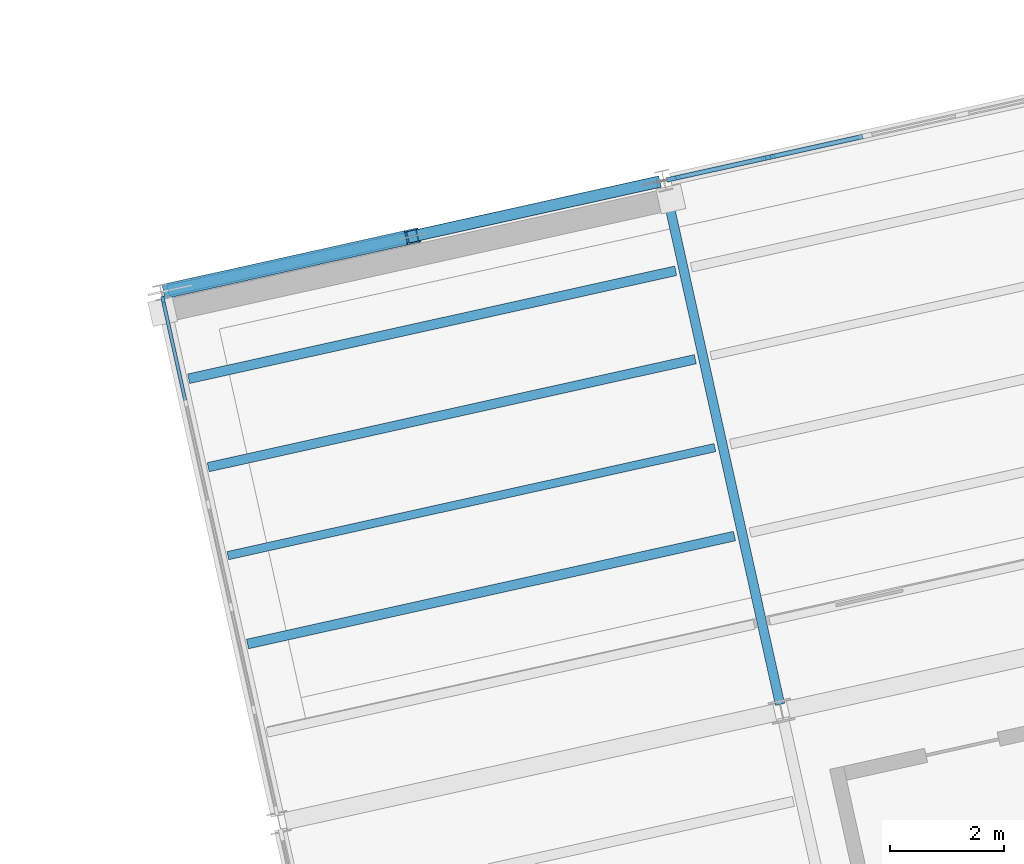
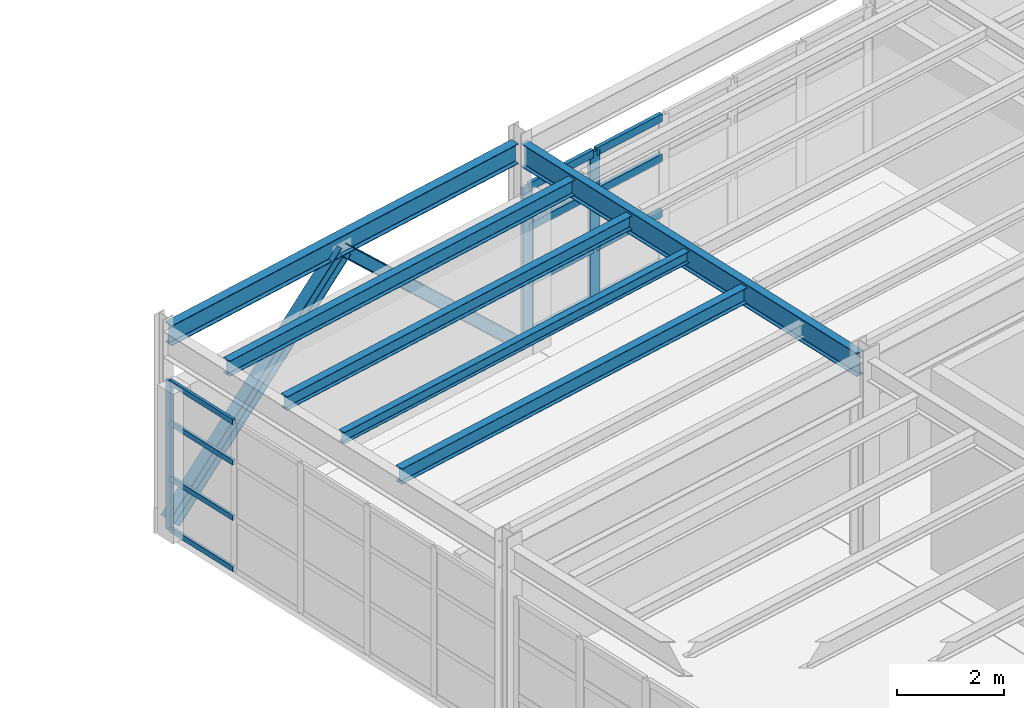
# One storey, part 53 of 109: 17 members, 6 beams, 2 elements without a shape of their own.
"""IFC4 building model written with IfcOpenShell, lengths in metres."""

from ifc_helpers import new_model, si_unit, direction, frame, origin, origin_2d, place, context, subcontext, project, spatial, rectangle, i_section, extrude, material, layer, layer_set, material_profile, profile_set, type_object, element, aggregate, save


model = new_model("IFC4")

# Units and contexts
model_context = context("Model", 3, precision=1e-05, world=origin(), true_north=direction((0.0, 1.0)))
body_context = subcontext(model_context, "Body", "Model", "MODEL_VIEW")
ifc_project = project(units=[si_unit("LENGTHUNIT", "METRE"), si_unit("AREAUNIT", "SQUARE_METRE"), si_unit("VOLUMEUNIT", "CUBIC_METRE"), si_unit("PLANEANGLEUNIT", "RADIAN"), si_unit("MASSUNIT", "GRAM", prefix="KILO")], contexts=[model_context])

# Site, building, storey
site_placement = place(None, origin())
site = spatial("IfcSite", under=ifc_project, at=site_placement, CompositionType="ELEMENT")
building_placement = place(site_placement, origin())
building = spatial("IfcBuilding", under=site, at=building_placement, Name="Vireo Bluff Cable Station", CompositionType="ELEMENT")
storey_placement = place(building_placement, frame((0.0, 0.0, 4.800048828125)))
storey = spatial("IfcBuildingStorey", under=building, at=storey_placement, Name="L01", CompositionType="ELEMENT", Elevation=4.800048828125)

# Beam
ifc_material_1 = material(Name="Steel ASTM A992 Gr. 50", Category="steel")
ifc_material_profile_1 = material_profile(ifc_material_1, i_section(OverallWidth=0.166015625, OverallDepth=0.528076171875, WebThickness=0.009765625, FlangeThickness=0.013671875, FilletRadius=0.012939453125, at=origin_2d()), Name="W21X50")
ifc_profile_set_1 = profile_set([ifc_material_profile_1], Name="Steel ASTM A992 Gr. 50")
beam_type_1 = type_object("IfcBeamType", Name="BM-W21X50", PredefinedType="BEAM", material=ifc_profile_set_1)
beam_1_placement = place(storey_placement, frame((130.6484375, 94.61474609375, 4.27587890625), z_axis=(-0.216455863908, 0.976292404447, 0.0), x_axis=(-0.976292404447, -0.216455863908, 0.0)))
element("IfcBeam", 1, at=beam_1_placement, inside=storey, type_object=beam_type_1, Name="V2 L01 beam 461", PredefinedType="BEAM", context=body_context, shape_type="SweptSolid", body=[
    extrude(i_section(OverallWidth=0.166015625, OverallDepth=0.528076171875, WebThickness=0.009765625, FlangeThickness=0.013671875, FilletRadius=0.012939453125, at=origin_2d()), origin(), (0.0, 0.0, 1.0), 9.260009765625),
])

# Members
ifc_material_profile_2 = material_profile(ifc_material_1, i_section(OverallWidth=0.2041015625, OverallDepth=0.257080078125, WebThickness=0.0087890625, FlangeThickness=0.015625, FilletRadius=0.009033203125, at=origin_2d()), Name="W10X45")
ifc_profile_set_2 = profile_set([ifc_material_profile_2], Name="Steel ASTM A992 Gr. 50")
member_type_1 = type_object("IfcMemberType", Name="BRC-01", PredefinedType="BRACE", material=ifc_profile_set_2)
member_1_placement = place(storey_placement, frame((128.4619140625, 103.73779296875, 0.0400390625), z_axis=(-0.706432249814, -0.156632169247, 0.69023172919), x_axis=(0.216465840429, -0.976290192477, 0.0)))
element("IfcMember", 2, at=member_1_placement, inside=storey, type_object=member_type_1, Name="V2 L01 concentric brace 30R", PredefinedType="BRACE", context=body_context, shape_type="SweptSolid", body=[
    extrude(i_section(OverallWidth=0.2041015625, OverallDepth=0.257080078125, WebThickness=0.0087890625, FlangeThickness=0.015625, FilletRadius=0.009033203125, at=origin_2d()), origin(), (0.0, 0.0, 1.0), 5.997802734375),
])
ifc_material_profile_3 = material_profile(ifc_material_1, i_section(OverallWidth=0.25390625, OverallDepth=0.35302734375, WebThickness=0.009521484375, FlangeThickness=0.016357421875, FilletRadius=0.011962890625, at=origin_2d()), Name="W14X61")
ifc_profile_set_3 = profile_set([ifc_material_profile_3], Name="Steel ASTM A992 Gr. 50")
member_type_2 = type_object("IfcMemberType", Name="BRC-06", PredefinedType="BRACE", material=ifc_profile_set_3)
member_2_placement = place(storey_placement, frame((119.98779296875, 101.859130859375, 0.0400390625), z_axis=(0.706436753261, 0.156592462679, 0.69023612936), x_axis=(-0.216412221259, 0.976302079528, 0.0)))
element("IfcMember", 3, at=member_2_placement, inside=storey, type_object=member_type_2, Name="V2 L01 concentric brace 29L", PredefinedType="BRACE", context=body_context, shape_type="SweptSolid", body=[
    extrude(i_section(OverallWidth=0.25390625, OverallDepth=0.35302734375, WebThickness=0.009521484375, FlangeThickness=0.016357421875, FilletRadius=0.011962890625, at=origin_2d()), origin(), (0.0, 0.0, 1.0), 5.997802734375),
])

# Curtain wall, member
ifc_material_2 = material(Name="Anodized Aluminium 6063-T6", Category="aluminium")
ifc_layer_1 = layer(ifc_material_2, 0.159912109375, Name="Anodized Aluminium 6063-T6")
ifc_layer_set_1 = layer_set([ifc_layer_1], Name="Anodized Aluminium 6063-T6")
curtain_wall_type_1 = type_object("IfcCurtainWallType", Name="CW-STICK-1750", PredefinedType="USERDEFINED", material=ifc_layer_set_1)
curtain_wall_1_placement = place(storey_placement, origin())
curtain_wall_1 = element("IfcCurtainWall", 4, at=curtain_wall_1_placement, inside=storey, type_object=curtain_wall_type_1, Name="V2 L01 west curtain wall CW-046", ObjectType="STICK CURTAIN WALL", PredefinedType="USERDEFINED")
ifc_material_profile_4 = material_profile(ifc_material_2, rectangle(XDim=0.06005859375, YDim=0.159912109375, at=origin_2d()), Name="ALU-M-60X160")
ifc_profile_set_4 = profile_set([ifc_material_profile_4], Name="Anodized Aluminium 6063-T6")
member_type_3 = type_object("IfcMemberType", Name="CWM-03", PredefinedType="MULLION", material=ifc_profile_set_4)
member_3_placement = place(storey_placement, frame((119.8662109375, 101.668212890625, 0.0), z_axis=(0.0, 0.0, 1.0), x_axis=(-0.976296012556, -0.216439589418, 0.0)))
member_3 = element("IfcMember", 5, at=member_3_placement, type_object=member_type_3, Name="CW-046 mullion 6", PredefinedType="MULLION", context=body_context, shape_type="SweptSolid", body=[
    extrude(rectangle(XDim=0.06005859375, YDim=0.159912109375, at=origin_2d()), origin(), (0.0, 0.0, 1.0), 3.39990234375),
])

# Curtain wall, members
ifc_layer_2 = layer(ifc_material_2, 0.179931640625, Name="Anodized Aluminium 6063-T6")
ifc_layer_set_2 = layer_set([ifc_layer_2], Name="Anodized Aluminium 6063-T6")
curtain_wall_type_2 = type_object("IfcCurtainWallType", Name="CW-UNIT-1650", PredefinedType="USERDEFINED", material=ifc_layer_set_2)
curtain_wall_2_placement = place(storey_placement, origin())
curtain_wall_2 = element("IfcCurtainWall", 6, at=curtain_wall_2_placement, inside=storey, type_object=curtain_wall_type_2, Name="V2 L01 north curtain wall CW-047", ObjectType="UNITISED CURTAIN WALL", PredefinedType="USERDEFINED")
ifc_material_profile_5 = material_profile(ifc_material_2, rectangle(XDim=0.080078125, YDim=0.239990234375, at=origin_2d()), Name="ALU-M-80X240")
ifc_profile_set_5 = profile_set([ifc_material_profile_5], Name="Anodized Aluminium 6063-T6")
member_type_4 = type_object("IfcMemberType", Name="CWM-04", PredefinedType="MULLION", material=ifc_profile_set_5)
member_4_placement = place(storey_placement, frame((128.78466796875, 103.809326171875, 0.0), z_axis=(0.0, 0.0, 1.0), x_axis=(-0.21643962164, 0.976296005412, 0.0)))
member_4 = element("IfcMember", 7, at=member_4_placement, type_object=member_type_4, Name="CW-047 mullion 1", PredefinedType="MULLION", context=body_context, shape_type="SweptSolid", body=[
    extrude(rectangle(XDim=0.080078125, YDim=0.239990234375, at=origin_2d()), origin(), (0.0, 0.0, 1.0), 3.39990234375),
])
member_5_placement = place(storey_placement, frame((130.44091796875, 104.176513671875, 0.0), z_axis=(0.0, 0.0, 1.0), x_axis=(-0.21643962164, 0.976296005412, 0.0)))
member_5 = element("IfcMember", 8, at=member_5_placement, type_object=member_type_4, Name="CW-047 mullion 2", PredefinedType="MULLION", context=body_context, shape_type="SweptSolid", body=[
    extrude(rectangle(XDim=0.080078125, YDim=0.239990234375, at=origin_2d()), origin(), (0.0, 0.0, 1.0), 3.39990234375),
])

# Member
ifc_material_profile_6 = material_profile(ifc_material_2, rectangle(XDim=0.06005859375, YDim=0.1201171875, at=origin_2d()), Name="ALU-T-60X120")
ifc_profile_set_6 = profile_set([ifc_material_profile_6], Name="Anodized Aluminium 6063-T6")
member_type_5 = type_object("IfcMemberType", Name="CWT-03", PredefinedType="USERDEFINED", material=ifc_profile_set_6)
member_6_placement = place(storey_placement, frame((120.250732421875, 99.932861328125, 0.030029296875), z_axis=(-0.216412673976, 0.976301979176, 0.0), x_axis=(-0.976301979176, -0.216412673976, 0.0)))
member_6 = element("IfcMember", 9, at=member_6_placement, type_object=member_type_5, Name="CW-046 transom 5.1", ObjectType="TRANSOM", PredefinedType="USERDEFINED", context=body_context, shape_type="SweptSolid", body=[
    extrude(rectangle(XDim=0.06005859375, YDim=0.1201171875, at=origin_2d()), origin(), (0.0, 0.0, 1.0), 1.74755859375),
])

member_7_placement = place(storey_placement, frame((120.250732421875, 99.932861328125, 1.18994140625), z_axis=(-0.216412673976, 0.976301979176, 0.0), x_axis=(-0.976301979176, -0.216412673976, 0.0)))
member_7 = element("IfcMember", 10, at=member_7_placement, type_object=member_type_5, Name="CW-046 transom 5.2", ObjectType="TRANSOM", PredefinedType="USERDEFINED", context=body_context, shape_type="SweptSolid", body=[
    extrude(rectangle(XDim=0.06005859375, YDim=0.1201171875, at=origin_2d()), origin(), (0.0, 0.0, 1.0), 1.74755859375),
])

member_8_placement = place(storey_placement, frame((120.250732421875, 99.932861328125, 2.447998046875), z_axis=(-0.216412673976, 0.976301979176, 0.0), x_axis=(-0.976301979176, -0.216412673976, 0.0)))
member_8 = element("IfcMember", 11, at=member_8_placement, type_object=member_type_5, Name="CW-046 transom 5.3", ObjectType="TRANSOM", PredefinedType="USERDEFINED", context=body_context, shape_type="SweptSolid", body=[
    extrude(rectangle(XDim=0.06005859375, YDim=0.1201171875, at=origin_2d()), origin(), (0.0, 0.0, 1.0), 1.74755859375),
])

member_9_placement = place(storey_placement, frame((120.250732421875, 99.932861328125, 3.369873046875), z_axis=(-0.216412673976, 0.976301979176, 0.0), x_axis=(-0.976301979176, -0.216412673976, 0.0)))
member_9 = element("IfcMember", 12, at=member_9_placement, type_object=member_type_5, Name="CW-046 transom 5.4", ObjectType="TRANSOM", PredefinedType="USERDEFINED", context=body_context, shape_type="SweptSolid", body=[
    extrude(rectangle(XDim=0.06005859375, YDim=0.1201171875, at=origin_2d()), origin(), (0.0, 0.0, 1.0), 1.74755859375),
])

aggregate(curtain_wall_1, [member_3, member_6, member_7, member_8, member_9])

ifc_material_profile_7 = material_profile(ifc_material_2, rectangle(XDim=0.080078125, YDim=0.175048828125, at=origin_2d()), Name="ALU-T-80X175")
ifc_profile_set_7 = profile_set([ifc_material_profile_7], Name="Anodized Aluminium 6063-T6")
member_type_6 = type_object("IfcMemberType", Name="CWT-04", PredefinedType="USERDEFINED", material=ifc_profile_set_7)
member_10_placement = place(storey_placement, frame((128.82373046875, 103.81787109375, 0.0400390625), z_axis=(0.976297101781, 0.216434676184, 0.0), x_axis=(-0.216434676184, 0.976297101781, 0.0)))
member_10 = element("IfcMember", 13, at=member_10_placement, type_object=member_type_6, Name="CW-047 transom 1.1", ObjectType="TRANSOM", PredefinedType="USERDEFINED", context=body_context, shape_type="SweptSolid", body=[
    extrude(rectangle(XDim=0.080078125, YDim=0.175048828125, at=origin_2d()), origin(), (0.0, 0.0, 1.0), 1.616455078125),
])

member_11_placement = place(storey_placement, frame((128.82373046875, 103.81787109375, 1.18994140625), z_axis=(0.976297101781, 0.216434676184, 0.0), x_axis=(-0.216434676184, 0.976297101781, 0.0)))
member_11 = element("IfcMember", 14, at=member_11_placement, type_object=member_type_6, Name="CW-047 transom 1.2", ObjectType="TRANSOM", PredefinedType="USERDEFINED", context=body_context, shape_type="SweptSolid", body=[
    extrude(rectangle(XDim=0.080078125, YDim=0.175048828125, at=origin_2d()), origin(), (0.0, 0.0, 1.0), 1.616455078125),
])

member_12_placement = place(storey_placement, frame((128.82373046875, 103.81787109375, 2.447998046875), z_axis=(0.976297101781, 0.216434676184, 0.0), x_axis=(-0.216434676184, 0.976297101781, 0.0)))
member_12 = element("IfcMember", 15, at=member_12_placement, type_object=member_type_6, Name="CW-047 transom 1.3", ObjectType="TRANSOM", PredefinedType="USERDEFINED", context=body_context, shape_type="SweptSolid", body=[
    extrude(rectangle(XDim=0.080078125, YDim=0.175048828125, at=origin_2d()), origin(), (0.0, 0.0, 1.0), 1.616455078125),
])

member_13_placement = place(storey_placement, frame((128.82373046875, 103.81787109375, 3.35986328125), z_axis=(0.976297101781, 0.216434676184, 0.0), x_axis=(-0.216434676184, 0.976297101781, 0.0)))
member_13 = element("IfcMember", 16, at=member_13_placement, type_object=member_type_6, Name="CW-047 transom 1.4", ObjectType="TRANSOM", PredefinedType="USERDEFINED", context=body_context, shape_type="SweptSolid", body=[
    extrude(rectangle(XDim=0.080078125, YDim=0.175048828125, at=origin_2d()), origin(), (0.0, 0.0, 1.0), 1.616455078125),
])

member_14_placement = place(storey_placement, frame((130.47998046875, 104.18505859375, 0.0400390625), z_axis=(0.976280602301, 0.216509088886, 0.0), x_axis=(-0.216509088886, 0.976280602301, 0.0)))
member_14 = element("IfcMember", 17, at=member_14_placement, type_object=member_type_6, Name="CW-047 transom 2.1", ObjectType="TRANSOM", PredefinedType="USERDEFINED", context=body_context, shape_type="SweptSolid", body=[
    extrude(rectangle(XDim=0.080078125, YDim=0.175048828125, at=origin_2d()), origin(), (0.0, 0.0, 1.0), 1.656494140625),
])

member_15_placement = place(storey_placement, frame((130.47998046875, 104.18505859375, 1.18994140625), z_axis=(0.976280602301, 0.216509088886, 0.0), x_axis=(-0.216509088886, 0.976280602301, 0.0)))
member_15 = element("IfcMember", 18, at=member_15_placement, type_object=member_type_6, Name="CW-047 transom 2.2", ObjectType="TRANSOM", PredefinedType="USERDEFINED", context=body_context, shape_type="SweptSolid", body=[
    extrude(rectangle(XDim=0.080078125, YDim=0.175048828125, at=origin_2d()), origin(), (0.0, 0.0, 1.0), 1.656494140625),
])

member_16_placement = place(storey_placement, frame((130.47998046875, 104.18505859375, 2.447998046875), z_axis=(0.976280602301, 0.216509088886, 0.0), x_axis=(-0.216509088886, 0.976280602301, 0.0)))
member_16 = element("IfcMember", 19, at=member_16_placement, type_object=member_type_6, Name="CW-047 transom 2.3", ObjectType="TRANSOM", PredefinedType="USERDEFINED", context=body_context, shape_type="SweptSolid", body=[
    extrude(rectangle(XDim=0.080078125, YDim=0.175048828125, at=origin_2d()), origin(), (0.0, 0.0, 1.0), 1.656494140625),
])

member_17_placement = place(storey_placement, frame((130.47998046875, 104.18505859375, 3.35986328125), z_axis=(0.976280602301, 0.216509088886, 0.0), x_axis=(-0.216509088886, 0.976280602301, 0.0)))
member_17 = element("IfcMember", 20, at=member_17_placement, type_object=member_type_6, Name="CW-047 transom 2.4", ObjectType="TRANSOM", PredefinedType="USERDEFINED", context=body_context, shape_type="SweptSolid", body=[
    extrude(rectangle(XDim=0.080078125, YDim=0.175048828125, at=origin_2d()), origin(), (0.0, 0.0, 1.0), 1.656494140625),
])

aggregate(curtain_wall_2, [member_4, member_5, member_10, member_11, member_12, member_13, member_14, member_15, member_16, member_17])

# Beams
ifc_material_profile_8 = material_profile(ifc_material_1, i_section(OverallWidth=0.14599609375, OverallDepth=0.259033203125, WebThickness=0.006103515625, FlangeThickness=0.009033203125, FilletRadius=0.009033203125, at=origin_2d()), Name="W10X22")
ifc_profile_set_8 = profile_set([ifc_material_profile_8], Name="Steel ASTM A992 Gr. 50")
beam_type_2 = type_object("IfcBeamType", Name="JST-W10X22", PredefinedType="JOIST", material=ifc_profile_set_8)
beam_2_placement = place(storey_placement, frame((120.996337890625, 97.21728515625, 4.410400390625), z_axis=(0.976293006815, 0.216453146994, 0.0), x_axis=(-0.216453146994, 0.976293006815, 0.0)))
element("IfcBeam", 21, at=beam_2_placement, inside=storey, type_object=beam_type_2, Name="V2 L01 composite joist 483", PredefinedType="JOIST", context=body_context, shape_type="SweptSolid", body=[
    extrude(i_section(OverallWidth=0.14599609375, OverallDepth=0.259033203125, WebThickness=0.006103515625, FlangeThickness=0.009033203125, FilletRadius=0.009033203125, at=origin_2d()), origin(), (0.0, 0.0, 1.0), 8.719970703125),
])
ifc_material_profile_9 = material_profile(ifc_material_1, i_section(OverallWidth=0.1650390625, OverallDepth=0.31005859375, WebThickness=0.005859375, FlangeThickness=0.009765625, FilletRadius=0.010009765625, at=origin_2d()), Name="W12X26")
ifc_profile_set_9 = profile_set([ifc_material_profile_9], Name="Steel ASTM A992 Gr. 50")
beam_type_3 = type_object("IfcBeamType", Name="JST-W12X26", PredefinedType="JOIST", material=ifc_profile_set_9)
beam_3_placement = place(storey_placement, frame((120.653564453125, 98.76318359375, 4.385009765625), z_axis=(0.976298923088, 0.216426460438, 0.0), x_axis=(-0.216426460438, 0.976298923088, 0.0)))
element("IfcBeam", 22, at=beam_3_placement, inside=storey, type_object=beam_type_3, Name="V2 L01 composite joist 484", PredefinedType="JOIST", context=body_context, shape_type="SweptSolid", body=[
    extrude(i_section(OverallWidth=0.1650390625, OverallDepth=0.31005859375, WebThickness=0.005859375, FlangeThickness=0.009765625, FilletRadius=0.010009765625, at=origin_2d()), origin(), (0.0, 0.0, 1.0), 8.719970703125),
])
ifc_material_profile_10 = material_profile(ifc_material_1, i_section(OverallWidth=0.1708984375, OverallDepth=0.35107421875, WebThickness=0.0068359375, FlangeThickness=0.009765625, FilletRadius=0.010009765625, at=origin_2d()), Name="W14X30")
ifc_profile_set_10 = profile_set([ifc_material_profile_10], Name="Steel ASTM A992 Gr. 50")
beam_type_4 = type_object("IfcBeamType", Name="JST-W14X30", PredefinedType="JOIST", material=ifc_profile_set_10)
beam_4_placement = place(storey_placement, frame((121.3388671875, 95.671630859375, 4.364501953125), z_axis=(0.976300234484, 0.216420544652, 0.0), x_axis=(-0.216420544652, 0.976300234484, 0.0)))
element("IfcBeam", 23, at=beam_4_placement, inside=storey, type_object=beam_type_4, Name="V2 L01 composite joist 482", PredefinedType="JOIST", context=body_context, shape_type="SweptSolid", body=[
    extrude(i_section(OverallWidth=0.1708984375, OverallDepth=0.35107421875, WebThickness=0.0068359375, FlangeThickness=0.009765625, FilletRadius=0.010009765625, at=origin_2d()), origin(), (0.0, 0.0, 1.0), 8.719970703125),
])
beam_5_placement = place(storey_placement, frame((120.310791015625, 100.308837890625, 4.364501953125), z_axis=(0.976294318526, 0.216447230551, 0.0), x_axis=(-0.216447230551, 0.976294318526, 0.0)))
element("IfcBeam", 24, at=beam_5_placement, inside=storey, type_object=beam_type_4, Name="V2 L01 composite joist 485", PredefinedType="JOIST", context=body_context, shape_type="SweptSolid", body=[
    extrude(i_section(OverallWidth=0.1708984375, OverallDepth=0.35107421875, WebThickness=0.0068359375, FlangeThickness=0.009765625, FilletRadius=0.010009765625, at=origin_2d()), origin(), (0.0, 0.0, 1.0), 8.72021484375),
])
ifc_material_profile_11 = material_profile(ifc_material_1, i_section(OverallWidth=0.19091796875, OverallDepth=0.45703125, WebThickness=0.009033203125, FlangeThickness=0.014404296875, FilletRadius=0.011962890625, at=origin_2d()), Name="W18X50")
ifc_profile_set_11 = profile_set([ifc_material_profile_11], Name="Steel ASTM A992 Gr. 50")
beam_type_5 = type_object("IfcBeamType", Name="SPN-W18X50", PredefinedType="SPANDREL", material=ifc_profile_set_11)
beam_6_placement = place(storey_placement, frame((119.94873046875, 101.850341796875, 4.3115234375), z_axis=(0.976295795297, 0.216440569406, 0.0), x_axis=(-0.216440569406, 0.976295795297, 0.0)))
element("IfcBeam", 25, at=beam_6_placement, inside=storey, type_object=beam_type_5, Name="V2 L01 spandrel 452", PredefinedType="SPANDREL", context=body_context, shape_type="SweptSolid", body=[
    extrude(i_section(OverallWidth=0.19091796875, OverallDepth=0.45703125, WebThickness=0.009033203125, FlangeThickness=0.014404296875, FilletRadius=0.011962890625, at=origin_2d()), origin(), (0.0, 0.0, 1.0), 8.760009765625),
])

save(model, "model.ifc")
